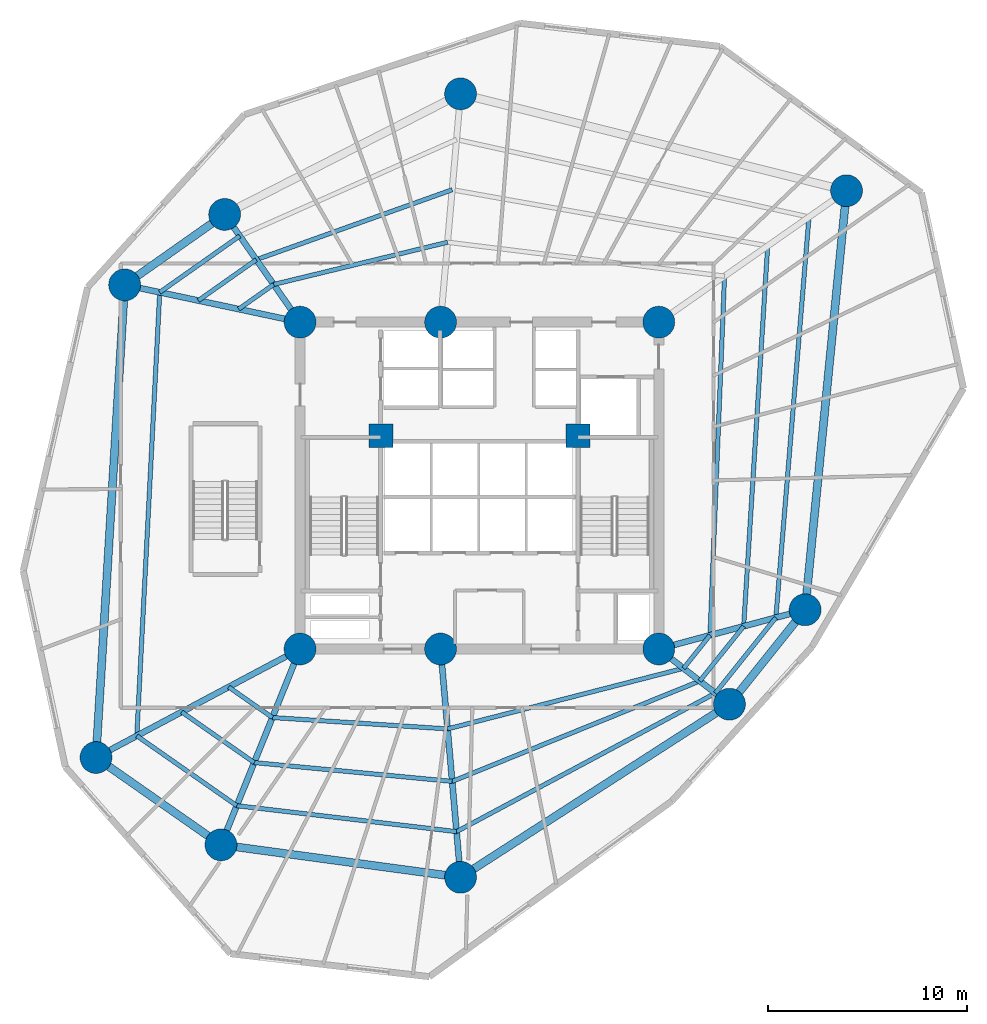
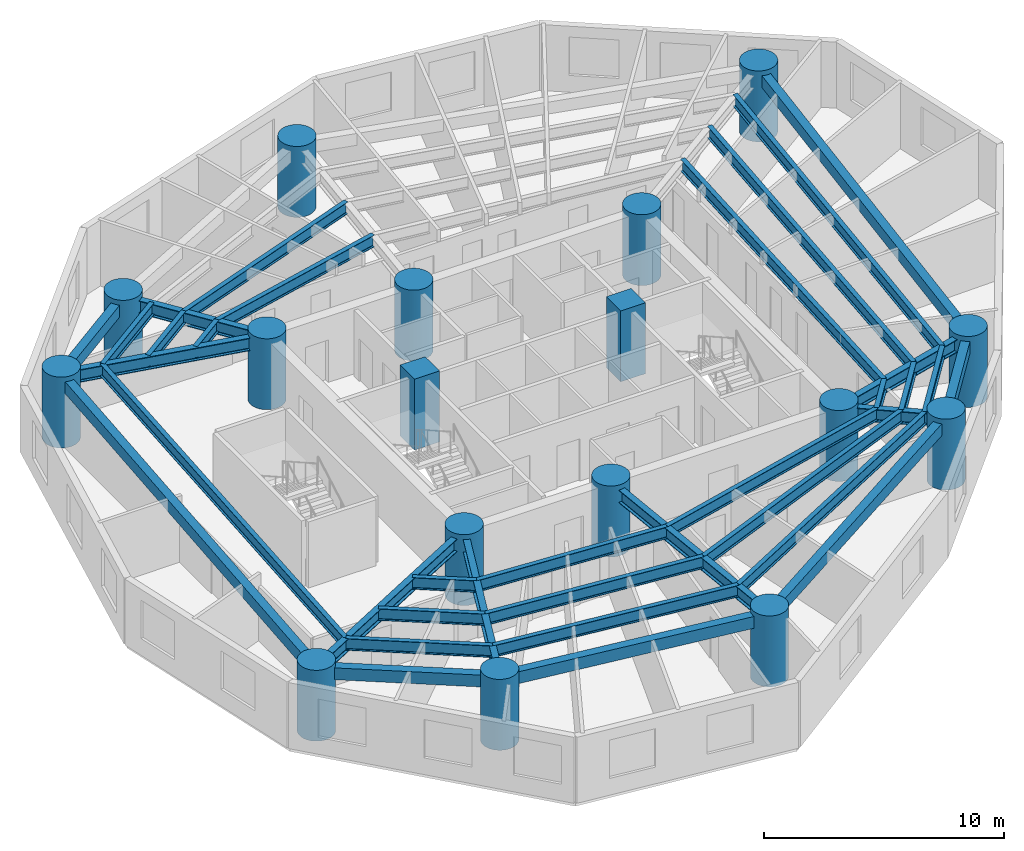
# One storey, part 1 of 7: 35 beams, 17 columns.
"""IFC4 building model written with IfcOpenShell, lengths in metres."""

from ifc_helpers import new_model, si_unit, direction, frame, origin, origin_with_axes, origin_2d, place, context, subcontext, project, spatial, rectangle, circle, i_section, extrude, source, transform, mapped, material, material_profile, profile_set, type_object, element, save


model = new_model("IFC4")

# Units and contexts
model_context = context("Model", 3, precision=1e-05, world=origin(), true_north=direction((0.0, 1.0)))
body_context = subcontext(model_context, "Body", "Model", "MODEL_VIEW")
ifc_project = project(units=[si_unit("LENGTHUNIT", "METRE"), si_unit("AREAUNIT", "SQUARE_METRE"), si_unit("VOLUMEUNIT", "CUBIC_METRE"), si_unit("PLANEANGLEUNIT", "RADIAN"), si_unit("MASSUNIT", "GRAM", prefix="KILO")], contexts=[model_context])

# Site, building, storey
site_placement = place(None, origin())
site = spatial("IfcSite", under=ifc_project, at=site_placement, CompositionType="ELEMENT")
building_placement = place(site_placement, origin())
building = spatial("IfcBuilding", under=site, at=building_placement, Name="Karkom Vertical University and Central Library", CompositionType="ELEMENT")
storey_placement = place(building_placement, frame((0.0, 0.0, 80.5)))
storey = spatial("IfcBuildingStorey", under=building, at=storey_placement, Name="L21", CompositionType="ELEMENT", Elevation=80.5)

# Columns
ifc_material_1 = material(Name="Concrete C50/60", Category="concrete")
ifc_material_profile_1 = material_profile(ifc_material_1, circle(Radius=0.800048828125, at=origin_2d()), Name="CFT-D1600")
ifc_profile_set_1 = profile_set([ifc_material_profile_1], Name="Concrete C50/60")
column_type_1 = type_object("IfcColumnType", Name="STR-COL-C-SC2", PredefinedType="COLUMN", material=ifc_profile_set_1)
shared_shape_1 = source(origin_with_axes(), body_context, "Body", "SweptSolid", [
    extrude(circle(Radius=0.800048828125, at=origin_2d()), origin(), (0.0, 0.0, 1.0), 3.60009765625),
])
for number, where, z_axis, x_axis, name in (
    (1, (19.5, 18.300048828125, 0.0), (0.0, 0.0, 1.0), (1.0, 0.0, 0.0), "Level 21 Spine Mega-Column SC-1"),
    (2, (26.550048828125, 18.300048828125, 0.0), (0.0, 0.0, 1.0), (1.0, 0.0, 0.0), "Level 21 Spine Mega-Column SC-2"),
    (3, (37.5, 18.300048828125, 0.0), (0.0, 0.0, 1.0), (1.0, 0.0, 0.0), "Level 21 Spine Mega-Column SC-3"),
    (4, (19.5, 34.699951171875, 0.0), (0.0, 0.0, 1.0), (1.0, 0.0, 0.0), "Level 21 Spine Mega-Column SC-4"),
    (5, (26.550048828125, 34.699951171875, 0.0), (0.0, 0.0, 1.0), (1.0, 0.0, 0.0), "Level 21 Spine Mega-Column SC-5"),
    (6, (37.5, 34.699951171875, 0.0), (0.0, 0.0, 1.0), (1.0, 0.0, 0.0), "Level 21 Spine Mega-Column SC-6"),
    (7, (44.841064453125, 20.26708984375, 0.0), (0.0, 0.0, 1.0), (1.0, 0.0, 0.0), "Level 21 Perimeter Mega-Column Z1-PC1"),
    (8, (46.919921875, 41.2958984375, 0.0), (0.0, 0.0, 1.0), (1.0, 0.0, 0.0), "Level 21 Perimeter Mega-Column Z1-PC2"),
    (9, (27.552001953125, 46.156005859375, 0.0), (0.0, 0.0, 1.0), (1.0, 0.0, 0.0), "Level 21 Perimeter Mega-Column Z1-PC3"),
    (10, (15.714111328125, 40.10595703125, 0.0), (0.0, 0.0, 1.0), (1.0, 0.0, 0.0), "Level 21 Perimeter Mega-Column Z1-PC4"),
    (11, (10.697021484375, 36.571044921875, 0.0), (0.0, 0.0, 1.0), (1.0, 0.0, 0.0), "Level 21 Perimeter Mega-Column Z1-PC5"),
    (12, (9.258056640625, 12.85400390625, 0.0), (0.0, 0.0, 1.0), (1.0, 0.0, 0.0), "Level 21 Perimeter Mega-Column Z1-PC6"),
    (13, (15.529052734375, 8.471923828125, 0.0), (0.0, 0.0, 1.0), (1.0, 0.0, 0.0), "Level 21 Perimeter Mega-Column Z1-PC7"),
    (14, (27.552001953125, 6.843994140625, 0.0), (0.0, 0.0, 1.0), (1.0, 0.0, 0.0), "Level 21 Perimeter Mega-Column Z1-PC8"),
    (15, (41.0458984375, 15.530029296875, 0.0), (0.0, 0.0, 1.0), (1.0, 0.0, 0.0), "Level 21 Perimeter Mega-Column Z1-PC9"),
):
    element("IfcColumn", number, at=place(storey_placement, frame(where, z_axis=z_axis, x_axis=x_axis)), inside=storey, type_object=column_type_1, Name=name, PredefinedType="COLUMN", context=body_context, shape_type="MappedRepresentation", body=[
        mapped(shared_shape_1, transform((0.0, 0.0, 0.0), scale=1.0)),
    ])
ifc_material_profile_2 = material_profile(ifc_material_1, rectangle(XDim=1.199951171875, YDim=1.199951171875, at=origin_2d()), Name="RC-1200x1200")
ifc_profile_set_2 = profile_set([ifc_material_profile_2], Name="Concrete C50/60")
column_type_2 = type_object("IfcColumnType", Name="STR-COL-C-CC1", PredefinedType="COLUMN", material=ifc_profile_set_2)
shared_shape_2 = source(origin_with_axes(), body_context, "Body", "SweptSolid", [
    extrude(rectangle(XDim=1.199951171875, YDim=1.199951171875, at=origin_2d()), origin(), (0.0, 0.0, 1.0), 3.60009765625),
])
for number, where, z_axis, x_axis, name in (
    (16, (23.550048828125, 29.0, 0.0), (0.0, 0.0, 1.0), (1.0, 0.0, 0.0), "Level 21 Core Node Column CC-1"),
    (17, (33.449951171875, 29.0, 0.0), (0.0, 0.0, 1.0), (1.0, 0.0, 0.0), "Level 21 Core Node Column CC-2"),
):
    element("IfcColumn", number, at=place(storey_placement, frame(where, z_axis=z_axis, x_axis=x_axis)), inside=storey, type_object=column_type_2, Name=name, PredefinedType="COLUMN", context=body_context, shape_type="MappedRepresentation", body=[
        mapped(shared_shape_2, transform((0.0, 0.0, 0.0), scale=1.0)),
    ])

# Beams
ifc_material_2 = material(Name="Steel S355", Category="steel")
ifc_material_profile_3 = material_profile(ifc_material_2, i_section(OverallWidth=0.300048828125, OverallDepth=0.64990234375, WebThickness=0.01611328125, FlangeThickness=0.031005859375, FilletRadius=0.027099609375, at=origin_2d()), Name="HE 650 B")
ifc_profile_set_3 = profile_set([ifc_material_profile_3], Name="Steel S355")
beam_type_1 = type_object("IfcBeamType", Name="STR-BM-SB-HE650", PredefinedType="USERDEFINED", material=ifc_profile_set_3)
shared_shape_3 = source(origin_with_axes(), body_context, "Body", "SweptSolid", [
    extrude(i_section(OverallWidth=0.300048828125, OverallDepth=0.64990234375, WebThickness=0.01611328125, FlangeThickness=0.031005859375, FilletRadius=0.027099609375, at=origin_2d()), origin(), (0.0, 0.0, 1.0), 7.60009765625),
])
beam_1_placement = place(storey_placement, frame((37.5, 18.300048828125, 3.02490234375), z_axis=(0.965925539322, 0.258820116077, 0.0), x_axis=(-0.258820116077, 0.965925539322, 0.0)))
element("IfcBeam", 18, at=beam_1_placement, inside=storey, type_object=beam_type_1, Name="Level 21 Radial Frame Girder 01", ObjectType="GIRDER", PredefinedType="USERDEFINED", context=body_context, shape_type="MappedRepresentation", body=[
    mapped(shared_shape_3, transform((0.0, 0.0, 0.0), scale=1.0)),
])
shared_shape_4 = source(origin_with_axes(), body_context, "Body", "SweptSolid", [
    extrude(i_section(OverallWidth=0.300048828125, OverallDepth=0.64990234375, WebThickness=0.01611328125, FlangeThickness=0.031005859375, FilletRadius=0.027099609375, at=origin_2d()), origin(), (0.0, 0.0, 1.0), 11.499755859375),
])
beam_2_placement = place(storey_placement, frame((26.550048828125, 18.300048828125, 3.02490234375), z_axis=(0.087127973109, -0.99619712723, 0.0), x_axis=(0.99619712723, 0.087127973109, 0.0)))
element("IfcBeam", 19, at=beam_2_placement, inside=storey, type_object=beam_type_1, Name="Level 21 Radial Frame Girder 08", ObjectType="GIRDER", PredefinedType="USERDEFINED", context=body_context, shape_type="MappedRepresentation", body=[
    mapped(shared_shape_4, transform((0.0, 0.0, 0.0), scale=1.0)),
])
shared_shape_5 = source(origin_with_axes(), body_context, "Body", "SweptSolid", [
    extrude(i_section(OverallWidth=0.300048828125, OverallDepth=0.64990234375, WebThickness=0.01611328125, FlangeThickness=0.031005859375, FilletRadius=0.027099609375, at=origin_2d()), origin(), (0.0, 0.0, 1.0), 6.599853515625),
])
beam_3_placement = place(storey_placement, frame((19.5, 34.699951171875, 3.02490234375), z_axis=(-0.573633636671, 0.819111989218, 0.0), x_axis=(-0.819111989218, -0.573633636671, 0.0)))
element("IfcBeam", 20, at=beam_3_placement, inside=storey, type_object=beam_type_1, Name="Level 21 Radial Frame Girder 04", ObjectType="GIRDER", PredefinedType="USERDEFINED", context=body_context, shape_type="MappedRepresentation", body=[
    mapped(shared_shape_5, transform((0.0, 0.0, 0.0), scale=1.0)),
])
shared_shape_6 = source(origin_with_axes(), body_context, "Body", "SweptSolid", [
    extrude(i_section(OverallWidth=0.300048828125, OverallDepth=0.64990234375, WebThickness=0.01611328125, FlangeThickness=0.031005859375, FilletRadius=0.027099609375, at=origin_2d()), origin(), (0.0, 0.0, 1.0), 8.999755859375),
])
beam_4_placement = place(storey_placement, frame((19.5, 34.699951171875, 3.02490234375), z_axis=(-0.978148438993, 0.207907747079, 0.0), x_axis=(-0.207907747079, -0.978148438993, 0.0)))
element("IfcBeam", 21, at=beam_4_placement, inside=storey, type_object=beam_type_1, Name="Level 21 Radial Frame Girder 05", ObjectType="GIRDER", PredefinedType="USERDEFINED", context=body_context, shape_type="MappedRepresentation", body=[
    mapped(shared_shape_6, transform((0.0, 0.0, 0.0), scale=1.0)),
])
shared_shape_7 = source(origin_with_axes(), body_context, "Body", "SweptSolid", [
    extrude(i_section(OverallWidth=0.300048828125, OverallDepth=0.64990234375, WebThickness=0.01611328125, FlangeThickness=0.031005859375, FilletRadius=0.027099609375, at=origin_2d()), origin(), (0.0, 0.0, 1.0), 11.599853515625),
])
beam_5_placement = place(storey_placement, frame((19.5, 18.300048828125, 3.02490234375), z_axis=(-0.882936620635, -0.469492197957, 0.0), x_axis=(0.469492197957, -0.882936620635, 0.0)))
element("IfcBeam", 22, at=beam_5_placement, inside=storey, type_object=beam_type_1, Name="Level 21 Radial Frame Girder 06", ObjectType="GIRDER", PredefinedType="USERDEFINED", context=body_context, shape_type="MappedRepresentation", body=[
    mapped(shared_shape_7, transform((0.0, 0.0, 0.0), scale=1.0)),
])
shared_shape_8 = source(origin_with_axes(), body_context, "Body", "SweptSolid", [
    extrude(i_section(OverallWidth=0.300048828125, OverallDepth=0.64990234375, WebThickness=0.01611328125, FlangeThickness=0.031005859375, FilletRadius=0.027099609375, at=origin_2d()), origin(), (0.0, 0.0, 1.0), 10.60009765625),
])
beam_6_placement = place(storey_placement, frame((19.5, 18.300048828125, 3.02490234375), z_axis=(-0.374616894394, -0.927179692635, 0.0), x_axis=(0.927179692635, -0.374616894394, 0.0)))
element("IfcBeam", 23, at=beam_6_placement, inside=storey, type_object=beam_type_1, Name="Level 21 Radial Frame Girder 07", ObjectType="GIRDER", PredefinedType="USERDEFINED", context=body_context, shape_type="MappedRepresentation", body=[
    mapped(shared_shape_8, transform((0.0, 0.0, 0.0), scale=1.0)),
])
shared_shape_9 = source(origin_with_axes(), body_context, "Body", "SweptSolid", [
    extrude(i_section(OverallWidth=0.300048828125, OverallDepth=0.64990234375, WebThickness=0.01611328125, FlangeThickness=0.031005859375, FilletRadius=0.027099609375, at=origin_2d()), origin(), (0.0, 0.0, 1.0), 4.49951171875),
])
beam_7_placement = place(storey_placement, frame((37.5, 18.300048828125, 3.02490234375), z_axis=(0.788047405801, -0.615614559778, 0.0), x_axis=(0.615614559778, 0.788047405801, 0.0)))
element("IfcBeam", 24, at=beam_7_placement, inside=storey, type_object=beam_type_1, Name="Level 21 Radial Frame Girder 09", ObjectType="GIRDER", PredefinedType="USERDEFINED", context=body_context, shape_type="MappedRepresentation", body=[
    mapped(shared_shape_9, transform((0.0, 0.0, 0.0), scale=1.0)),
])
ifc_material_3 = material(Name="Precast concrete C45/55", Category="concrete")
ifc_material_profile_4 = material_profile(ifc_material_3, rectangle(XDim=0.39990234375, YDim=0.60009765625, at=origin_2d()), Name="SPB-400x600")
ifc_profile_set_4 = profile_set([ifc_material_profile_4], Name="Precast concrete C45/55")
beam_type_2 = type_object("IfcBeamType", Name="STR-BM-SP-1", PredefinedType="SPANDREL", material=ifc_profile_set_4)
shared_shape_10 = source(origin_with_axes(), body_context, "Body", "SweptSolid", [
    extrude(rectangle(XDim=0.39990234375, YDim=0.60009765625, at=origin_2d()), origin(), (0.0, 0.0, 1.0), 21.13134765625),
])
beam_8_placement = place(storey_placement, frame((44.841064453125, 20.26708984375, 3.050048828125), z_axis=(0.0983780471, 0.995149114379, 0.0), x_axis=(-0.995149114379, 0.0983780471, 0.0)))
element("IfcBeam", 25, at=beam_8_placement, inside=storey, type_object=beam_type_2, Name="Level 21 Perimeter Spandrel Beam 01", PredefinedType="SPANDREL", context=body_context, shape_type="MappedRepresentation", body=[
    mapped(shared_shape_10, transform((0.0, 0.0, 0.0), scale=1.0)),
])
shared_shape_11 = source(origin_with_axes(), body_context, "Body", "SweptSolid", [
    extrude(rectangle(XDim=0.39990234375, YDim=0.60009765625, at=origin_2d()), origin(), (0.0, 0.0, 1.0), 6.13720703125),
])
beam_9_placement = place(storey_placement, frame((15.714111328125, 40.10595703125, 3.050048828125), z_axis=(-0.817471365538, -0.575969240955, 0.0), x_axis=(0.575969240955, -0.817471365538, 0.0)))
element("IfcBeam", 26, at=beam_9_placement, inside=storey, type_object=beam_type_2, Name="Level 21 Perimeter Spandrel Beam 04", PredefinedType="SPANDREL", context=body_context, shape_type="MappedRepresentation", body=[
    mapped(shared_shape_11, transform((0.0, 0.0, 0.0), scale=1.0)),
])
shared_shape_12 = source(origin_with_axes(), body_context, "Body", "SweptSolid", [
    extrude(rectangle(XDim=0.39990234375, YDim=0.60009765625, at=origin_2d()), origin(), (0.0, 0.0, 1.0), 23.7607421875),
])
beam_10_placement = place(storey_placement, frame((10.697021484375, 36.571044921875, 3.050048828125), z_axis=(-0.060560827767, -0.998164508556, 0.0), x_axis=(0.998164508556, -0.060560827767, 0.0)))
element("IfcBeam", 27, at=beam_10_placement, inside=storey, type_object=beam_type_2, Name="Level 21 Perimeter Spandrel Beam 05", PredefinedType="SPANDREL", context=body_context, shape_type="MappedRepresentation", body=[
    mapped(shared_shape_12, transform((0.0, 0.0, 0.0), scale=1.0)),
])
shared_shape_13 = source(origin_with_axes(), body_context, "Body", "SweptSolid", [
    extrude(rectangle(XDim=0.39990234375, YDim=0.60009765625, at=origin_2d()), origin(), (0.0, 0.0, 1.0), 7.650390625),
])
beam_11_placement = place(storey_placement, frame((9.258056640625, 12.85400390625, 3.050048828125), z_axis=(0.819699409527, -0.572793922822, 0.0), x_axis=(0.572793922822, 0.819699409527, 0.0)))
element("IfcBeam", 28, at=beam_11_placement, inside=storey, type_object=beam_type_2, Name="Level 21 Perimeter Spandrel Beam 06", PredefinedType="SPANDREL", context=body_context, shape_type="MappedRepresentation", body=[
    mapped(shared_shape_13, transform((0.0, 0.0, 0.0), scale=1.0)),
])
shared_shape_14 = source(origin_with_axes(), body_context, "Body", "SweptSolid", [
    extrude(rectangle(XDim=0.39990234375, YDim=0.60009765625, at=origin_2d()), origin(), (0.0, 0.0, 1.0), 12.132568359375),
])
beam_12_placement = place(storey_placement, frame((15.529052734375, 8.471923828125, 3.050048828125), z_axis=(0.990957319008, -0.134177464223, 0.0), x_axis=(0.134177464223, 0.990957319008, 0.0)))
element("IfcBeam", 29, at=beam_12_placement, inside=storey, type_object=beam_type_2, Name="Level 21 Perimeter Spandrel Beam 07", PredefinedType="SPANDREL", context=body_context, shape_type="MappedRepresentation", body=[
    mapped(shared_shape_14, transform((0.0, 0.0, 0.0), scale=1.0)),
])
shared_shape_15 = source(origin_with_axes(), body_context, "Body", "SweptSolid", [
    extrude(rectangle(XDim=0.39990234375, YDim=0.60009765625, at=origin_2d()), origin(), (0.0, 0.0, 1.0), 16.0478515625),
])
beam_13_placement = place(storey_placement, frame((27.552001953125, 6.843994140625, 3.050048828125), z_axis=(0.84085555045, 0.541259589548, 0.0), x_axis=(-0.541259589548, 0.84085555045, 0.0)))
element("IfcBeam", 30, at=beam_13_placement, inside=storey, type_object=beam_type_2, Name="Level 21 Perimeter Spandrel Beam 08", PredefinedType="SPANDREL", context=body_context, shape_type="MappedRepresentation", body=[
    mapped(shared_shape_15, transform((0.0, 0.0, 0.0), scale=1.0)),
])
shared_shape_16 = source(origin_with_axes(), body_context, "Body", "SweptSolid", [
    extrude(rectangle(XDim=0.39990234375, YDim=0.60009765625, at=origin_2d()), origin(), (0.0, 0.0, 1.0), 6.06982421875),
])
beam_14_placement = place(storey_placement, frame((41.0458984375, 15.530029296875, 3.050048828125), z_axis=(0.625249167344, 0.780425190992, 0.0), x_axis=(-0.780425190992, 0.625249167344, 0.0)))
element("IfcBeam", 31, at=beam_14_placement, inside=storey, type_object=beam_type_2, Name="Level 21 Perimeter Spandrel Beam 09", PredefinedType="SPANDREL", context=body_context, shape_type="MappedRepresentation", body=[
    mapped(shared_shape_16, transform((0.0, 0.0, 0.0), scale=1.0)),
])
ifc_material_profile_5 = material_profile(ifc_material_2, i_section(OverallWidth=0.219970703125, OverallDepth=0.60009765625, WebThickness=0.011962890625, FlangeThickness=0.01904296875, FilletRadius=0.02392578125, at=origin_2d()), Name="IPE 600")
ifc_profile_set_5 = profile_set([ifc_material_profile_5], Name="Steel S355")
beam_type_3 = type_object("IfcBeamType", Name="STR-BM-SB-IPE600", PredefinedType="BEAM", material=ifc_profile_set_5)
shared_shape_17 = source(origin_with_axes(), body_context, "Body", "SweptSolid", [
    extrude(i_section(OverallWidth=0.219970703125, OverallDepth=0.60009765625, WebThickness=0.011962890625, FlangeThickness=0.01904296875, FilletRadius=0.02392578125, at=origin_2d()), origin(), (0.0, 0.0, 1.0), 18.03466796875),
])
beam_15_placement = place(storey_placement, frame((40.0693359375, 18.988525390625, 3.050048828125), z_axis=(0.04035458262, 0.999185422062, 0.0), x_axis=(-0.999185422062, 0.04035458262, 0.0)))
element("IfcBeam", 32, at=beam_15_placement, inside=storey, type_object=beam_type_3, Name="Level 21 Secondary Composite Floor Beam 1.01", PredefinedType="BEAM", context=body_context, shape_type="MappedRepresentation", body=[
    mapped(shared_shape_17, transform((0.0, 0.0, 0.0), scale=1.0)),
])
shared_shape_18 = source(origin_with_axes(), body_context, "Body", "SweptSolid", [
    extrude(i_section(OverallWidth=0.219970703125, OverallDepth=0.60009765625, WebThickness=0.011962890625, FlangeThickness=0.01904296875, FilletRadius=0.02392578125, at=origin_2d()), origin(), (0.0, 0.0, 1.0), 8.97900390625),
])
beam_16_placement = place(storey_placement, frame((26.900634765625, 38.709716796875, 3.050048828125), z_axis=(-0.971790837509, -0.235844372697, 0.0), x_axis=(0.235844372697, -0.971790837509, 0.0)))
element("IfcBeam", 33, at=beam_16_placement, inside=storey, type_object=beam_type_3, Name="Level 21 Secondary Composite Floor Beam 1.03", PredefinedType="BEAM", context=body_context, shape_type="MappedRepresentation", body=[
    mapped(shared_shape_18, transform((0.0, 0.0, 0.0), scale=1.0)),
])
shared_shape_19 = source(origin_with_axes(), body_context, "Body", "SweptSolid", [
    extrude(i_section(OverallWidth=0.219970703125, OverallDepth=0.60009765625, WebThickness=0.011962890625, FlangeThickness=0.01904296875, FilletRadius=0.02392578125, at=origin_2d()), origin(), (0.0, 0.0, 1.0), 2.14794921875),
])
beam_17_placement = place(storey_placement, frame((18.1748046875, 36.592041015625, 3.050048828125), z_axis=(-0.817433780971, -0.576022580918, 0.0), x_axis=(0.576022580918, -0.817433780971, 0.0)))
element("IfcBeam", 34, at=beam_17_placement, inside=storey, type_object=beam_type_3, Name="Level 21 Secondary Composite Floor Beam 1.04", PredefinedType="BEAM", context=body_context, shape_type="MappedRepresentation", body=[
    mapped(shared_shape_19, transform((0.0, 0.0, 0.0), scale=1.0)),
])
shared_shape_20 = source(origin_with_axes(), body_context, "Body", "SweptSolid", [
    extrude(i_section(OverallWidth=0.219970703125, OverallDepth=0.60009765625, WebThickness=0.011962890625, FlangeThickness=0.01904296875, FilletRadius=0.02392578125, at=origin_2d()), origin(), (0.0, 0.0, 1.0), 2.677490234375),
])
beam_18_placement = place(storey_placement, frame((15.915283203125, 16.393798828125, 3.050048828125), z_axis=(0.819702839548, -0.572789014243, 0.0), x_axis=(0.572789014243, 0.819702839548, 0.0)))
element("IfcBeam", 35, at=beam_18_placement, inside=storey, type_object=beam_type_3, Name="Level 21 Secondary Composite Floor Beam 1.06", PredefinedType="BEAM", context=body_context, shape_type="MappedRepresentation", body=[
    mapped(shared_shape_20, transform((0.0, 0.0, 0.0), scale=1.0)),
])
shared_shape_21 = source(origin_with_axes(), body_context, "Body", "SweptSolid", [
    extrude(i_section(OverallWidth=0.219970703125, OverallDepth=0.60009765625, WebThickness=0.011962890625, FlangeThickness=0.01904296875, FilletRadius=0.02392578125, at=origin_2d()), origin(), (0.0, 0.0, 1.0), 8.80908203125),
])
beam_19_placement = place(storey_placement, frame((18.110107421875, 14.860107421875, 3.050048828125), z_axis=(0.997905617906, -0.064686766433, 0.0), x_axis=(0.064686766433, 0.997905617906, 0.0)))
element("IfcBeam", 36, at=beam_19_placement, inside=storey, type_object=beam_type_3, Name="Level 21 Secondary Composite Floor Beam 1.07", PredefinedType="BEAM", context=body_context, shape_type="MappedRepresentation", body=[
    mapped(shared_shape_21, transform((0.0, 0.0, 0.0), scale=1.0)),
])
shared_shape_22 = source(origin_with_axes(), body_context, "Body", "SweptSolid", [
    extrude(i_section(OverallWidth=0.219970703125, OverallDepth=0.60009765625, WebThickness=0.011962890625, FlangeThickness=0.01904296875, FilletRadius=0.02392578125, at=origin_2d()), origin(), (0.0, 0.0, 1.0), 12.224609375),
])
beam_20_placement = place(storey_placement, frame((26.900634765625, 14.290283203125, 3.050048828125), z_axis=(0.968580403264, 0.248700628092, 0.0), x_axis=(-0.248700628092, 0.968580403264, 0.0)))
element("IfcBeam", 37, at=beam_20_placement, inside=storey, type_object=beam_type_3, Name="Level 21 Secondary Composite Floor Beam 1.08", PredefinedType="BEAM", context=body_context, shape_type="MappedRepresentation", body=[
    mapped(shared_shape_22, transform((0.0, 0.0, 0.0), scale=1.0)),
])
shared_shape_23 = source(origin_with_axes(), body_context, "Body", "SweptSolid", [
    extrude(i_section(OverallWidth=0.219970703125, OverallDepth=0.60009765625, WebThickness=0.011962890625, FlangeThickness=0.01904296875, FilletRadius=0.02392578125, at=origin_2d()), origin(), (0.0, 0.0, 1.0), 2.124267578125),
])
beam_21_placement = place(storey_placement, frame((38.7412109375, 17.33056640625, 3.050048828125), z_axis=(0.625199471959, 0.780465002587, 0.0), x_axis=(-0.780465002587, 0.625199471959, 0.0)))
element("IfcBeam", 38, at=beam_21_placement, inside=storey, type_object=beam_type_3, Name="Level 21 Secondary Composite Floor Beam 1.09", PredefinedType="BEAM", context=body_context, shape_type="MappedRepresentation", body=[
    mapped(shared_shape_23, transform((0.0, 0.0, 0.0), scale=1.0)),
])
shared_shape_24 = source(origin_with_axes(), body_context, "Body", "SweptSolid", [
    extrude(i_section(OverallWidth=0.219970703125, OverallDepth=0.60009765625, WebThickness=0.011962890625, FlangeThickness=0.01904296875, FilletRadius=0.02392578125, at=origin_2d()), origin(), (0.0, 0.0, 1.0), 19.122802734375),
])
beam_22_placement = place(storey_placement, frame((41.7578125, 19.44091796875, 3.050048828125), z_axis=(0.063056264597, 0.998009973645, 0.0), x_axis=(-0.998009973645, 0.063056264597, 0.0)))
element("IfcBeam", 39, at=beam_22_placement, inside=storey, type_object=beam_type_3, Name="Level 21 Secondary Composite Floor Beam 2.01", PredefinedType="BEAM", context=body_context, shape_type="MappedRepresentation", body=[
    mapped(shared_shape_24, transform((0.0, 0.0, 0.0), scale=1.0)),
])
shared_shape_25 = source(origin_with_axes(), body_context, "Body", "SweptSolid", [
    extrude(i_section(OverallWidth=0.219970703125, OverallDepth=0.60009765625, WebThickness=0.011962890625, FlangeThickness=0.01904296875, FilletRadius=0.02392578125, at=origin_2d()), origin(), (0.0, 0.0, 1.0), 10.4345703125),
])
beam_23_placement = place(storey_placement, frame((27.131103515625, 41.344482421875, 3.050048828125), z_axis=(-0.941759378798, -0.336287484819, 0.0), x_axis=(0.336287484819, -0.941759378798, 0.0)))
element("IfcBeam", 40, at=beam_23_placement, inside=storey, type_object=beam_type_3, Name="Level 21 Secondary Composite Floor Beam 2.03", PredefinedType="BEAM", context=body_context, shape_type="MappedRepresentation", body=[
    mapped(shared_shape_25, transform((0.0, 0.0, 0.0), scale=1.0)),
])
shared_shape_26 = source(origin_with_axes(), body_context, "Body", "SweptSolid", [
    extrude(i_section(OverallWidth=0.219970703125, OverallDepth=0.60009765625, WebThickness=0.011962890625, FlangeThickness=0.01904296875, FilletRadius=0.02392578125, at=origin_2d()), origin(), (0.0, 0.0, 1.0), 3.5595703125),
])
beam_24_placement = place(storey_placement, frame((17.30419921875, 37.83544921875, 3.050048828125), z_axis=(-0.817465552849, -0.575977490798, 0.0), x_axis=(0.575977490798, -0.817465552849, 0.0)))
element("IfcBeam", 41, at=beam_24_placement, inside=storey, type_object=beam_type_3, Name="Level 21 Secondary Composite Floor Beam 2.04", PredefinedType="BEAM", context=body_context, shape_type="MappedRepresentation", body=[
    mapped(shared_shape_26, transform((0.0, 0.0, 0.0), scale=1.0)),
])
shared_shape_27 = source(origin_with_axes(), body_context, "Body", "SweptSolid", [
    extrude(i_section(OverallWidth=0.219970703125, OverallDepth=0.60009765625, WebThickness=0.011962890625, FlangeThickness=0.01904296875, FilletRadius=0.02392578125, at=origin_2d()), origin(), (0.0, 0.0, 1.0), 4.437255859375),
])
beam_25_placement = place(storey_placement, frame((13.5595703125, 15.141357421875, 3.050048828125), z_axis=(0.819712425733, -0.572775295468, 0.0), x_axis=(0.572775295468, 0.819712425733, 0.0)))
element("IfcBeam", 42, at=beam_25_placement, inside=storey, type_object=beam_type_3, Name="Level 21 Secondary Composite Floor Beam 2.06", PredefinedType="BEAM", context=body_context, shape_type="MappedRepresentation", body=[
    mapped(shared_shape_27, transform((0.0, 0.0, 0.0), scale=1.0)),
])
shared_shape_28 = source(origin_with_axes(), body_context, "Body", "SweptSolid", [
    extrude(i_section(OverallWidth=0.219970703125, OverallDepth=0.60009765625, WebThickness=0.011962890625, FlangeThickness=0.01904296875, FilletRadius=0.02392578125, at=origin_2d()), origin(), (0.0, 0.0, 1.0), 9.97900390625),
])
beam_26_placement = place(storey_placement, frame((17.19677734375, 12.599853515625, 3.050048828125), z_axis=(0.995512389915, -0.094631292526, 0.0), x_axis=(0.094631292526, 0.995512389915, 0.0)))
element("IfcBeam", 43, at=beam_26_placement, inside=storey, type_object=beam_type_3, Name="Level 21 Secondary Composite Floor Beam 2.07", PredefinedType="BEAM", context=body_context, shape_type="MappedRepresentation", body=[
    mapped(shared_shape_28, transform((0.0, 0.0, 0.0), scale=1.0)),
])
shared_shape_29 = source(origin_with_axes(), body_context, "Body", "SweptSolid", [
    extrude(i_section(OverallWidth=0.219970703125, OverallDepth=0.60009765625, WebThickness=0.011962890625, FlangeThickness=0.01904296875, FilletRadius=0.02392578125, at=origin_2d()), origin(), (0.0, 0.0, 1.0), 13.407958984375),
])
beam_27_placement = place(storey_placement, frame((27.131103515625, 11.655517578125, 3.050048828125), z_axis=(0.926727273371, 0.375734694685, 0.0), x_axis=(-0.375734694685, 0.926727273371, 0.0)))
element("IfcBeam", 44, at=beam_27_placement, inside=storey, type_object=beam_type_3, Name="Level 21 Secondary Composite Floor Beam 2.08", PredefinedType="BEAM", context=body_context, shape_type="MappedRepresentation", body=[
    mapped(shared_shape_29, transform((0.0, 0.0, 0.0), scale=1.0)),
])
shared_shape_30 = source(origin_with_axes(), body_context, "Body", "SweptSolid", [
    extrude(i_section(OverallWidth=0.219970703125, OverallDepth=0.60009765625, WebThickness=0.011962890625, FlangeThickness=0.01904296875, FilletRadius=0.02392578125, at=origin_2d()), origin(), (0.0, 0.0, 1.0), 3.5205078125),
])
beam_28_placement = place(storey_placement, frame((39.556640625, 16.693359375, 3.050048828125), z_axis=(0.62523614548, 0.780435623473, 0.0), x_axis=(-0.780435623473, 0.62523614548, 0.0)))
element("IfcBeam", 45, at=beam_28_placement, inside=storey, type_object=beam_type_3, Name="Level 21 Secondary Composite Floor Beam 2.09", PredefinedType="BEAM", context=body_context, shape_type="MappedRepresentation", body=[
    mapped(shared_shape_30, transform((0.0, 0.0, 0.0), scale=1.0)),
])
shared_shape_31 = source(origin_with_axes(), body_context, "Body", "SweptSolid", [
    extrude(i_section(OverallWidth=0.219970703125, OverallDepth=0.60009765625, WebThickness=0.011962890625, FlangeThickness=0.01904296875, FilletRadius=0.02392578125, at=origin_2d()), origin(), (0.0, 0.0, 1.0), 20.171875),
])
beam_29_placement = place(storey_placement, frame((43.372802734375, 19.87353515625, 3.050048828125), z_axis=(0.082445490935, 0.996595575459, 0.0), x_axis=(-0.996595575459, 0.082445490935, 0.0)))
element("IfcBeam", 46, at=beam_29_placement, inside=storey, type_object=beam_type_3, Name="Level 21 Secondary Composite Floor Beam 3.01", PredefinedType="BEAM", context=body_context, shape_type="MappedRepresentation", body=[
    mapped(shared_shape_31, transform((0.0, 0.0, 0.0), scale=1.0)),
])
shared_shape_32 = source(origin_with_axes(), body_context, "Body", "SweptSolid", [
    extrude(i_section(OverallWidth=0.219970703125, OverallDepth=0.60009765625, WebThickness=0.011962890625, FlangeThickness=0.01904296875, FilletRadius=0.02392578125, at=origin_2d()), origin(), (0.0, 0.0, 1.0), 4.909912109375),
])
beam_30_placement = place(storey_placement, frame((16.47119140625, 39.02490234375, 3.050048828125), z_axis=(-0.817452635759, -0.575995823153, 0.0), x_axis=(0.575995823153, -0.817452635759, 0.0)))
element("IfcBeam", 47, at=beam_30_placement, inside=storey, type_object=beam_type_3, Name="Level 21 Secondary Composite Floor Beam 3.04", PredefinedType="BEAM", context=body_context, shape_type="MappedRepresentation", body=[
    mapped(shared_shape_32, transform((0.0, 0.0, 0.0), scale=1.0)),
])
shared_shape_33 = source(origin_with_axes(), body_context, "Body", "SweptSolid", [
    extrude(i_section(OverallWidth=0.219970703125, OverallDepth=0.60009765625, WebThickness=0.011962890625, FlangeThickness=0.01904296875, FilletRadius=0.02392578125, at=origin_2d()), origin(), (0.0, 0.0, 1.0), 22.283447265625),
])
beam_31_placement = place(storey_placement, frame((12.45751953125, 36.19677734375, 3.050048828125), z_axis=(-0.051658288147, -0.998664819279, 0.0), x_axis=(0.998664819279, -0.051658288147, 0.0)))
element("IfcBeam", 48, at=beam_31_placement, inside=storey, type_object=beam_type_3, Name="Level 21 Secondary Composite Floor Beam 3.05", PredefinedType="BEAM", context=body_context, shape_type="MappedRepresentation", body=[
    mapped(shared_shape_33, transform((0.0, 0.0, 0.0), scale=1.0)),
])
shared_shape_34 = source(origin_with_axes(), body_context, "Body", "SweptSolid", [
    extrude(i_section(OverallWidth=0.219970703125, OverallDepth=0.60009765625, WebThickness=0.011962890625, FlangeThickness=0.01904296875, FilletRadius=0.02392578125, at=origin_2d()), origin(), (0.0, 0.0, 1.0), 6.120361328125),
])
beam_32_placement = place(storey_placement, frame((11.306396484375, 13.943115234375, 3.050048828125), z_axis=(0.81970577287, -0.572784816422, 0.0), x_axis=(0.572784816422, 0.81970577287, 0.0)))
element("IfcBeam", 49, at=beam_32_placement, inside=storey, type_object=beam_type_3, Name="Level 21 Secondary Composite Floor Beam 3.06", PredefinedType="BEAM", context=body_context, shape_type="MappedRepresentation", body=[
    mapped(shared_shape_34, transform((0.0, 0.0, 0.0), scale=1.0)),
])
shared_shape_35 = source(origin_with_axes(), body_context, "Body", "SweptSolid", [
    extrude(i_section(OverallWidth=0.219970703125, OverallDepth=0.60009765625, WebThickness=0.011962890625, FlangeThickness=0.01904296875, FilletRadius=0.02392578125, at=origin_2d()), origin(), (0.0, 0.0, 1.0), 11.10498046875),
])
beam_33_placement = place(storey_placement, frame((16.3232421875, 10.4375, 3.050048828125), z_axis=(0.993100390447, -0.117267278018, 0.0), x_axis=(0.117267278018, 0.993100390447, 0.0)))
element("IfcBeam", 50, at=beam_33_placement, inside=storey, type_object=beam_type_3, Name="Level 21 Secondary Composite Floor Beam 3.07", PredefinedType="BEAM", context=body_context, shape_type="MappedRepresentation", body=[
    mapped(shared_shape_35, transform((0.0, 0.0, 0.0), scale=1.0)),
])
shared_shape_36 = source(origin_with_axes(), body_context, "Body", "SweptSolid", [
    extrude(i_section(OverallWidth=0.219970703125, OverallDepth=0.60009765625, WebThickness=0.011962890625, FlangeThickness=0.01904296875, FilletRadius=0.02392578125, at=origin_2d()), origin(), (0.0, 0.0, 1.0), 14.727783203125),
])
beam_34_placement = place(storey_placement, frame((27.3515625, 9.13525390625, 3.050048828125), z_axis=(0.881697726656, 0.471814708131, 0.0), x_axis=(-0.471814708131, 0.881697726656, 0.0)))
element("IfcBeam", 51, at=beam_34_placement, inside=storey, type_object=beam_type_3, Name="Level 21 Secondary Composite Floor Beam 3.08", PredefinedType="BEAM", context=body_context, shape_type="MappedRepresentation", body=[
    mapped(shared_shape_36, transform((0.0, 0.0, 0.0), scale=1.0)),
])
shared_shape_37 = source(origin_with_axes(), body_context, "Body", "SweptSolid", [
    extrude(i_section(OverallWidth=0.219970703125, OverallDepth=0.60009765625, WebThickness=0.011962890625, FlangeThickness=0.01904296875, FilletRadius=0.02392578125, at=origin_2d()), origin(), (0.0, 0.0, 1.0), 4.855712890625),
])
beam_35_placement = place(storey_placement, frame((40.3369140625, 16.083984375, 3.050048828125), z_axis=(0.62522835738, 0.780441862747, 0.0), x_axis=(-0.780441862747, 0.62522835738, 0.0)))
element("IfcBeam", 52, at=beam_35_placement, inside=storey, type_object=beam_type_3, Name="Level 21 Secondary Composite Floor Beam 3.09", PredefinedType="BEAM", context=body_context, shape_type="MappedRepresentation", body=[
    mapped(shared_shape_37, transform((0.0, 0.0, 0.0), scale=1.0)),
])

save(model, "model.ifc")
